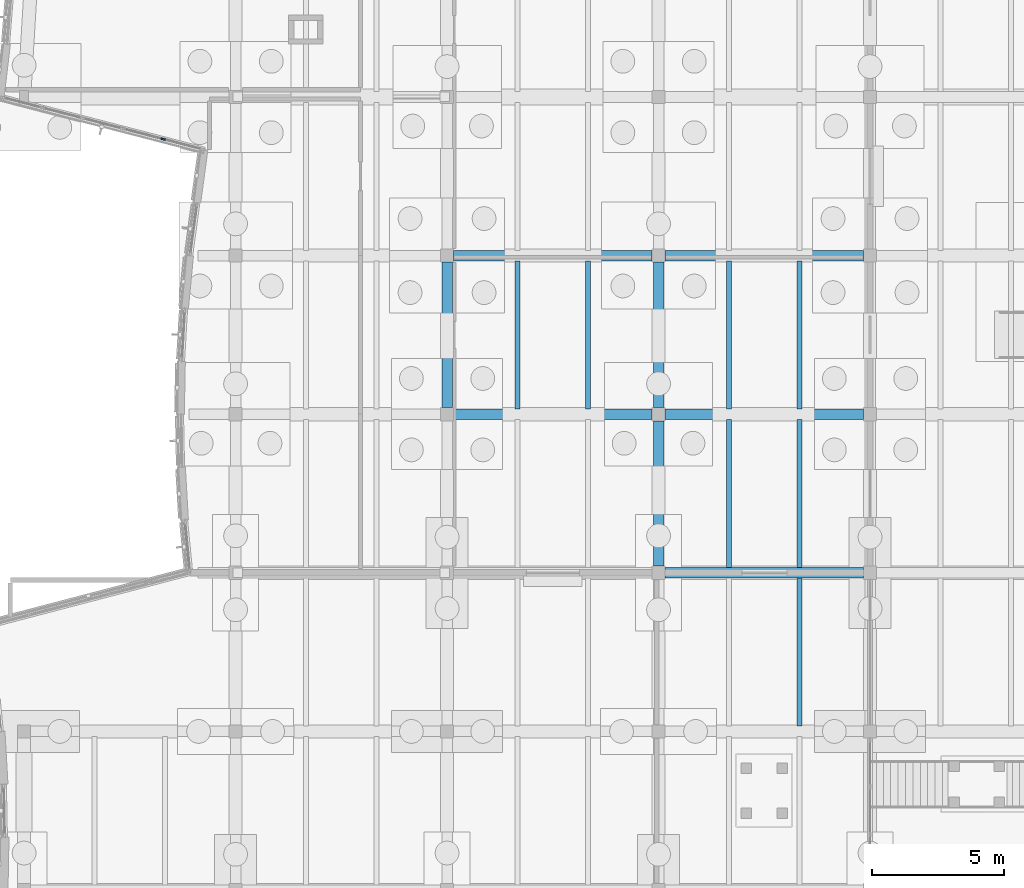
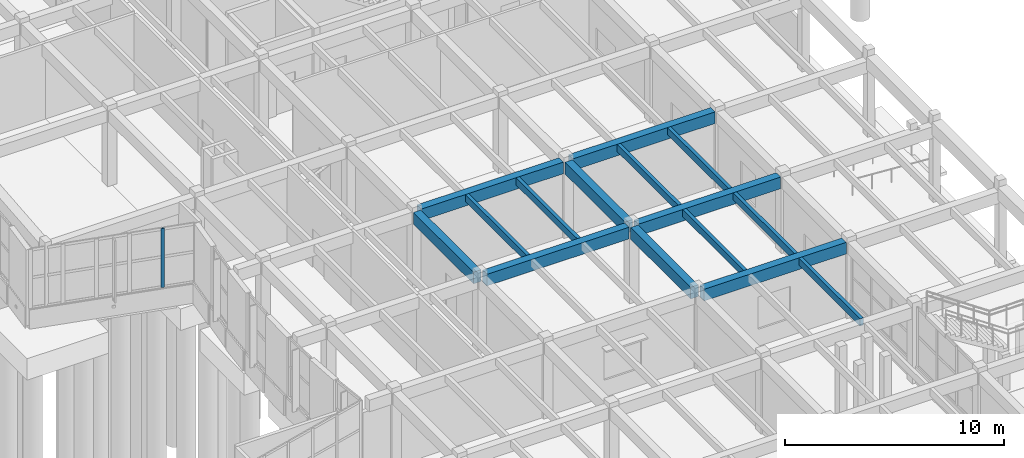
# One storey, part 19 of 99: 15 beams, 1 member, 1 element without a shape of its own.
"""IFC4 building model written with IfcOpenShell, lengths in metres."""

from ifc_helpers import new_model, si_unit, direction, frame, origin, origin_2d, place, context, subcontext, project, spatial, rectangle, extrude, material, layer, layer_set, material_profile, profile_set, type_object, element, aggregate, save


model = new_model("IFC4")

# Units and contexts
model_context = context("Model", 3, precision=1e-05, world=origin(), true_north=direction((0.0, 1.0)))
body_context = subcontext(model_context, "Body", "Model", "MODEL_VIEW")
ifc_project = project(units=[si_unit("LENGTHUNIT", "METRE"), si_unit("AREAUNIT", "SQUARE_METRE"), si_unit("VOLUMEUNIT", "CUBIC_METRE"), si_unit("PLANEANGLEUNIT", "RADIAN"), si_unit("MASSUNIT", "GRAM", prefix="KILO")], contexts=[model_context])

# Site, building, storey
site_placement = place(None, origin())
site = spatial("IfcSite", under=ifc_project, at=site_placement, CompositionType="ELEMENT")
building_placement = place(site_placement, origin())
building = spatial("IfcBuilding", under=site, at=building_placement, Name="Tonlespit Floodbar School", CompositionType="ELEMENT")
storey_placement = place(building_placement, origin())
storey = spatial("IfcBuildingStorey", under=building, at=storey_placement, Name="L00", CompositionType="ELEMENT", Elevation=0.0)

# Beams
ifc_material_1 = material(Name="Concrete C40/50", Category="concrete")
ifc_material_profile_1 = material_profile(ifc_material_1, rectangle(XDim=0.39990234375, YDim=0.64990234375, at=origin_2d()), Name="RC 400x650")
ifc_profile_set_1 = profile_set([ifc_material_profile_1], Name="Concrete C40/50")
beam_type_1 = type_object("IfcBeamType", Name="Beam_RC_400x650", PredefinedType="BEAM", material=ifc_profile_set_1)
for number, where, z_axis, x_axis, name in (
    (1, (28.25, 38.0, 3.9150390625), (1.0, 0.0, 0.0), (0.0, 1.0, 0.0), "L00 girder 0034"),
    (2, (20.25, 44.0, 3.9150390625), (1.0, 0.0, 0.0), (0.0, 1.0, 0.0), "L00 girder 0037"),
    (3, (28.25, 44.0, 3.9150390625), (1.0, 0.0, 0.0), (0.0, 1.0, 0.0), "L00 girder 0038"),
    (4, (20.25, 50.0, 3.9150390625), (1.0, 0.0, 0.0), (0.0, 1.0, 0.0), "L00 girder 0041"),
    (5, (28.25, 50.0, 3.9150390625), (1.0, 0.0, 0.0), (0.0, 1.0, 0.0), "L00 girder 0042"),
):
    element("IfcBeam", number, at=place(storey_placement, frame(where, z_axis=z_axis, x_axis=x_axis)), inside=storey, type_object=beam_type_1, Name=name, PredefinedType="BEAM", context=body_context, shape_type="SweptSolid", body=[
        extrude(rectangle(XDim=0.39990234375, YDim=0.64990234375, at=origin_2d()), origin(), (0.0, 0.0, 1.0), 7.5),
    ])
for number, where, z_axis, x_axis, name in (
    (6, (20.0, 44.25, 3.9150390625), (0.0, 1.0, 0.0), (-1.0, 0.0, 0.0), "L00 girder 0190"),
    (7, (28.0, 38.25, 3.9150390625), (0.0, 1.0, 0.0), (-1.0, 0.0, 0.0), "L00 girder 0202"),
    (8, (28.0, 44.25, 3.9150390625), (0.0, 1.0, 0.0), (-1.0, 0.0, 0.0), "L00 girder 0203"),
):
    element("IfcBeam", number, at=place(storey_placement, frame(where, z_axis=z_axis, x_axis=x_axis)), inside=storey, type_object=beam_type_1, Name=name, PredefinedType="BEAM", context=body_context, shape_type="SweptSolid", body=[
        extrude(rectangle(XDim=0.39990234375, YDim=0.64990234375, at=origin_2d()), origin(), (0.0, 0.0, 1.0), 5.5),
    ])

# Curtain wall, member
ifc_material_2 = material(Name="Anodised Aluminium", Category="aluminium")
ifc_layer = layer(ifc_material_2, 0.159912109375)
ifc_layer_set = layer_set([ifc_layer], Name="Anodised Aluminium")
curtain_wall_type = type_object("IfcCurtainWallType", Name="CurtainWall_7900x3300", PredefinedType="NOTDEFINED", material=ifc_layer_set)
curtain_wall_placement = place(storey_placement, origin())
curtain_wall = element("IfcCurtainWall", 9, at=curtain_wall_placement, inside=storey, type_object=curtain_wall_type, Name="L00 unitised curtain wall 0255", PredefinedType="NOTDEFINED")
ifc_material_profile_2 = material_profile(ifc_material_2, rectangle(XDim=0.06494140625, YDim=0.179931640625, at=origin_2d()), Name="ALU M65x180")
ifc_profile_set_2 = profile_set([ifc_material_profile_2], Name="Anodised Aluminium")
member_type = type_object("IfcMemberType", Name="CW_Mullion_65x180", PredefinedType="MULLION", material=ifc_profile_set_2)
member_placement = place(storey_placement, frame((9.25732421875, 54.406005859375, 0.949951171875), z_axis=(0.0, 0.0, 1.0), x_axis=(-0.25120078898, -0.967934999685, 0.0)))
member = element("IfcMember", 10, at=member_placement, type_object=member_type, Name="CW-33 mullion 2", PredefinedType="MULLION", context=body_context, shape_type="SweptSolid", body=[
    extrude(rectangle(XDim=0.06494140625, YDim=0.179931640625, at=origin_2d()), origin(), (0.0, 0.0, 1.0), 3.2900390625),
])
aggregate(curtain_wall, [member])

# Beams
ifc_material_3 = material(Name="Glulam GL28h", Category="wood")
ifc_material_profile_3 = material_profile(ifc_material_3, rectangle(XDim=0.179931640625, YDim=0.39990234375, at=origin_2d()), Name="GL 180x400")
ifc_profile_set_3 = profile_set([ifc_material_profile_3], Name="Glulam GL28h")
beam_type_2 = type_object("IfcBeamType", Name="Joist_GL_180x400", PredefinedType="JOIST", material=ifc_profile_set_3)
for number, where, z_axis, x_axis, name in (
    (11, (33.333251953125, 32.199951171875, 4.0400390625), (0.0, 1.0, 0.0), (-1.0, 0.0, 0.0), "L00 secondary joist 0370"),
    (12, (30.666748046875, 38.199951171875, 4.0400390625), (0.0, 1.0, 0.0), (-1.0, 0.0, 0.0), "L00 secondary joist 0377"),
    (13, (33.333251953125, 38.199951171875, 4.0400390625), (0.0, 1.0, 0.0), (-1.0, 0.0, 0.0), "L00 secondary joist 0378"),
    (14, (22.666748046875, 44.199951171875, 4.0400390625), (0.0, 1.0, 0.0), (-1.0, 0.0, 0.0), "L00 secondary joist 0383"),
    (15, (25.333251953125, 44.199951171875, 4.0400390625), (0.0, 1.0, 0.0), (-1.0, 0.0, 0.0), "L00 secondary joist 0384"),
    (16, (30.666748046875, 44.199951171875, 4.0400390625), (0.0, 1.0, 0.0), (-1.0, 0.0, 0.0), "L00 secondary joist 0385"),
    (17, (33.333251953125, 44.199951171875, 4.0400390625), (0.0, 1.0, 0.0), (-1.0, 0.0, 0.0), "L00 secondary joist 0386"),
):
    element("IfcBeam", number, at=place(storey_placement, frame(where, z_axis=z_axis, x_axis=x_axis)), inside=storey, type_object=beam_type_2, Name=name, PredefinedType="JOIST", context=body_context, shape_type="SweptSolid", body=[
        extrude(rectangle(XDim=0.179931640625, YDim=0.39990234375, at=origin_2d()), origin(), (0.0, 0.0, 1.0), 5.60009765625),
    ])

save(model, "model.ifc")
